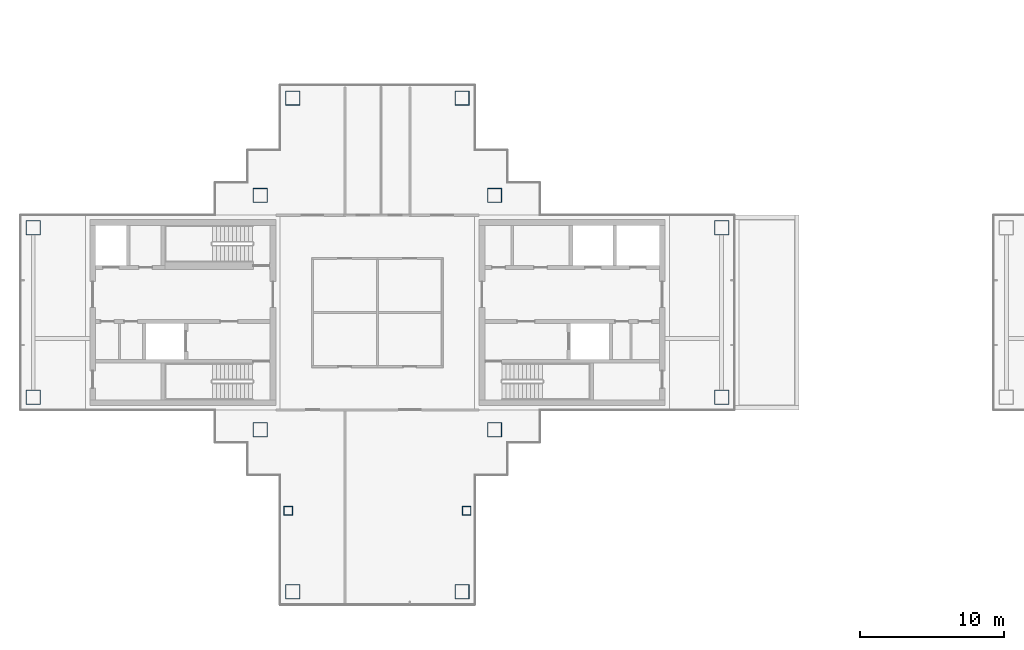
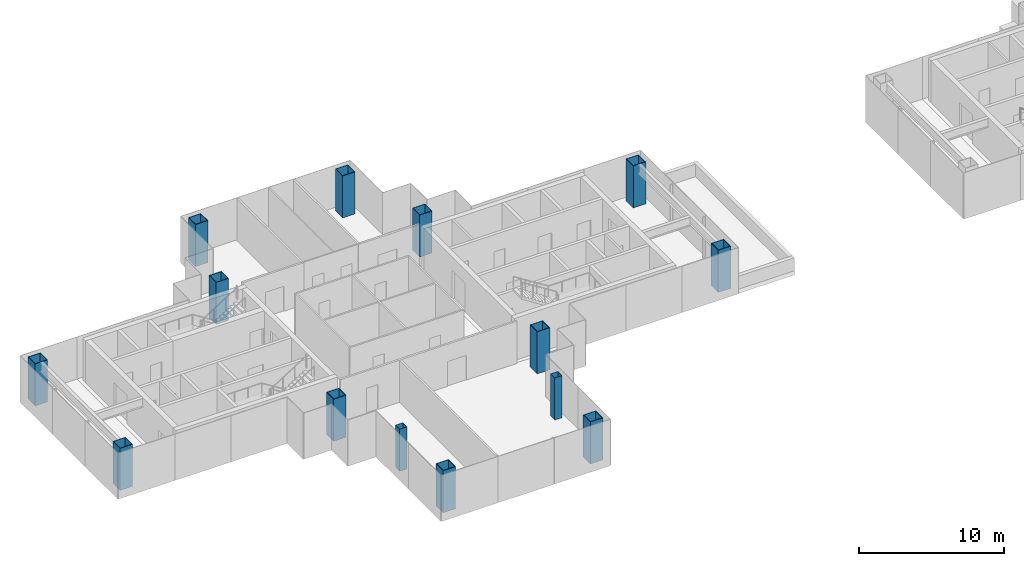
# One storey, part 1 of 16: 14 columns.
"""IFC4 building model written with IfcOpenShell, lengths in metres."""

import ifcopenshell
import ifcopenshell.guid

model = None  # the IFC model being written
_history = None  # IfcOwnerHistory: only IFC2X3 demands one
_inside = {}  # id of a spatial element -> (the spatial element, [elements in it])
_under = {}  # id of a project, library or spatial element -> (it, [spatial elements below it])
_declared = {}  # id of a project -> (the project, [libraries it declares])
_typed = {}  # id of a type object -> (the type object, [elements of that type])
_made_of = {}  # id of a material, layer set ... -> (it, [elements and type objects made of it])


def new_model(schema):
    """Start an empty IFC model of exactly this schema.

    Asked for "IFC4X3", IfcOpenShell would pick the latest addendum, in which some entities
    have other attributes; the version numbers below select the first issue.
    IFC2X3 requires an IfcOwnerHistory on every rooted entity: one is made here for all.
    """
    global model, _history
    if schema == "IFC4X3":
        model = ifcopenshell.file(schema_version=(4, 3, 0, 0))
    else:
        model = ifcopenshell.file(schema=schema)
    _inside.clear()
    _under.clear()
    _declared.clear()
    _typed.clear()
    _made_of.clear()
    _history = None
    if model.schema == "IFC2X3":
        org = make("IfcOrganization", Name="unknown")
        user = make(
            "IfcPersonAndOrganization",
            ThePerson=make("IfcPerson", FamilyName="unknown"),
            TheOrganization=org,
        )
        app = make(
            "IfcApplication",
            ApplicationDeveloper=org,
            Version="unknown",
            ApplicationFullName="unknown",
            ApplicationIdentifier="unknown",
        )
        _history = make(
            "IfcOwnerHistory",
            OwningUser=user,
            OwningApplication=app,
            ChangeAction="ADDED",
            CreationDate=0,
        )
    return model


def make(cls, **values):
    """One entity of the class cls with the attributes given. An attribute that is None is left unset."""
    return model.create_entity(
        cls, **{name: value for name, value in values.items() if value is not None}
    )


def rooted(cls, **values):
    """An entity with a GlobalId (a new one), such as an element, a storey or a relation."""
    return make(cls, GlobalId=ifcopenshell.guid.new(), OwnerHistory=_history, **values)


def si_unit(unit_type, name, prefix=None):
    """IfcSIUnit, for example si_unit("LENGTHUNIT", "METRE", prefix="MILLI")."""
    return make("IfcSIUnit", UnitType=unit_type, Prefix=prefix, Name=name)


def assignment(units):
    """IfcUnitAssignment: the units of a project."""
    return None if units is None else make("IfcUnitAssignment", Units=units)


def point(xyz):
    """IfcCartesianPoint."""
    return None if xyz is None else make("IfcCartesianPoint", Coordinates=xyz)


def direction(xyz):
    """IfcDirection."""
    return None if xyz is None else make("IfcDirection", DirectionRatios=xyz)


def frame(location, z_axis=None, x_axis=None):
    """IfcAxis2Placement3D, a coordinate frame: its origin and axes. An axis left out is left unset."""
    return make(
        "IfcAxis2Placement3D",
        Location=point(location),
        Axis=direction(z_axis),
        RefDirection=direction(x_axis),
    )


def frame_2d(location, x_axis=None):
    """IfcAxis2Placement2D, a coordinate frame in the plane: its origin and x axis."""
    return make(
        "IfcAxis2Placement2D", Location=point(location), RefDirection=direction(x_axis)
    )


def origin():
    """The frame at (0, 0, 0) with its axes left unset."""
    return frame((0.0, 0.0, 0.0))


def origin_2d():
    """The frame at (0, 0) in the plane with its x axis left unset."""
    return frame_2d((0.0, 0.0))


def place(relative_to, where):
    """IfcLocalPlacement: puts the frame where relative to a parent placement (None: the world)."""
    return make(
        "IfcLocalPlacement", PlacementRelTo=relative_to, RelativePlacement=where
    )


def context(
    kind, dimensions, precision=None, world=None, true_north=None, identifier=None
):
    """IfcGeometricRepresentationContext, for example the 3D "Model" context."""
    return make(
        "IfcGeometricRepresentationContext",
        ContextIdentifier=identifier,
        ContextType=kind,
        CoordinateSpaceDimension=dimensions,
        Precision=precision,
        WorldCoordinateSystem=world,
        TrueNorth=true_north,
    )


def subcontext(parent, identifier, kind, view, scale=None):
    """IfcGeometricRepresentationSubContext, for example "Body" below "Model"."""
    return make(
        "IfcGeometricRepresentationSubContext",
        ContextIdentifier=identifier,
        ContextType=kind,
        ParentContext=parent,
        TargetScale=scale,
        TargetView=view,
    )


def project(units=None, contexts=None):
    """IfcProject with its units and contexts."""
    return rooted(
        "IfcProject",
        Name="project",
        RepresentationContexts=contexts,
        UnitsInContext=assignment(units),
    )


def spatial(cls, under=None, at=None, **own):
    """A site, building, storey or space (cls), placed at a placement, below another one or the project."""
    s = rooted(cls, ObjectPlacement=at, **own)
    if under is not None:
        _under.setdefault(under.id(), (under, []))[1].append(s)
    return s


def profile(cls, at=None, kind="AREA", **sizes):
    """A parametric profile (cls). Its sizes go by their IFC names, for example OverallWidth=200.0."""
    return make(cls, ProfileType=kind, Position=at, **sizes)


def hollow_rectangle(**sizes):
    """IfcRectangleHollowProfileDef."""
    return profile("IfcRectangleHollowProfileDef", **sizes)


def extrude(swept, where, along, depth):
    """IfcExtrudedAreaSolid: the profile swept, set in the frame where, extruded along a direction by depth."""
    return make(
        "IfcExtrudedAreaSolid",
        SweptArea=swept,
        Position=where,
        ExtrudedDirection=direction(along),
        Depth=depth,
    )


def shape(context_of_items, identifier, shape_type, items):
    """IfcShapeRepresentation: the items that make up one representation, for example the "Body"."""
    return make(
        "IfcShapeRepresentation",
        ContextOfItems=context_of_items,
        RepresentationIdentifier=identifier,
        RepresentationType=shape_type,
        Items=items,
    )


def material(Name=None, Category=None):
    """IfcMaterial."""
    return make("IfcMaterial", Name=Name, Category=Category)


def material_profile(
    of_material, cross_section, Name=None, Category=None, Priority=None
):
    """IfcMaterialProfile: a cross section and its material."""
    return make(
        "IfcMaterialProfile",
        Name=Name,
        Material=of_material,
        Profile=cross_section,
        Priority=Priority,
        Category=Category,
    )


def profile_set(profiles, Name=None, composite=None):
    """IfcMaterialProfileSet."""
    return make(
        "IfcMaterialProfileSet",
        Name=Name,
        MaterialProfiles=profiles,
        CompositeProfile=composite,
    )


def made_of(thing, what):
    """Note that an element or type object is made of a material, layer set ...; save() writes the relation."""
    if what is not None:
        _made_of.setdefault(what.id(), (what, []))[1].append(thing)
    return thing


def type_object(cls, material=None, **own):
    """A type object (cls), such as IfcWallType, which elements share."""
    return made_of(rooted(cls, **own), material)


def element(
    cls,
    number,
    at=None,
    inside=None,
    cuts=None,
    type_object=None,
    material=None,
    context=None,
    identifier="Body",
    shape_type=None,
    held_by="IfcProductDefinitionShape",
    body=None,
    shapes=None,
    **own,
):
    """One element of the class cls, such as IfcWall. Its Tag is "e" and its number.

    at: its placement. inside: the storey or other place that contains it. cuts: it is an
    opening in that element (IfcRelVoidsElement). A single representation is given by context,
    identifier, shape_type and body (its items); several are given by shapes. held_by: the class
    of the entity that holds the representations. save() writes the other relations.
    """
    e = rooted(cls, Tag="e%d" % number, ObjectPlacement=at, **own)
    if body is not None:
        shapes = [shape(context, identifier, shape_type, body)]
    if shapes is not None:
        e.Representation = make(held_by, Representations=shapes)
    if inside is not None:
        _inside.setdefault(inside.id(), (inside, []))[1].append(e)
    if cuts is not None:
        rooted(
            "IfcRelVoidsElement", RelatingBuildingElement=cuts, RelatedOpeningElement=e
        )
    if type_object is not None:
        _typed.setdefault(type_object.id(), (type_object, []))[1].append(e)
    return made_of(e, material)


def aggregate(whole, parts):
    """IfcRelAggregates: a whole, such as a stair, and the parts it consists of."""
    return rooted("IfcRelAggregates", RelatingObject=whole, RelatedObjects=parts)


def save(model, path):
    """Write the relations noted so far, then the file.

    IfcRelAggregates (storeys below a building ...), IfcRelContainedInSpatialStructure (elements
    in a storey), IfcRelDefinesByType, IfcRelAssociatesMaterial and IfcRelDeclares: one each for
    every whole, place, type object, material and project.
    """
    for whole, parts in _under.values():
        aggregate(whole, parts)
    for where, things in _inside.values():
        rooted(
            "IfcRelContainedInSpatialStructure",
            RelatedElements=things,
            RelatingStructure=where,
        )
    for kind, things in _typed.values():
        rooted("IfcRelDefinesByType", RelatedObjects=things, RelatingType=kind)
    for what, things in _made_of.values():
        rooted("IfcRelAssociatesMaterial", RelatedObjects=things, RelatingMaterial=what)
    for by, libraries in _declared.values():
        rooted("IfcRelDeclares", RelatingContext=by, RelatedDefinitions=libraries)
    model.write(path)


model = new_model("IFC4")

# Units and contexts
model_context = context("Model", 3, precision=1e-05, world=origin(), true_north=direction((0.0, 1.0)))
body_context = subcontext(model_context, "Body", "Model", "MODEL_VIEW")
ifc_project = project(units=[si_unit("LENGTHUNIT", "METRE"), si_unit("AREAUNIT", "SQUARE_METRE"), si_unit("VOLUMEUNIT", "CUBIC_METRE"), si_unit("PLANEANGLEUNIT", "RADIAN"), si_unit("MASSUNIT", "GRAM", prefix="KILO")], contexts=[model_context])

# Site, building, storey
site_placement = place(None, origin())
site = spatial("IfcSite", under=ifc_project, at=site_placement, CompositionType="ELEMENT")
building_placement = place(site_placement, origin())
building = spatial("IfcBuilding", under=site, at=building_placement, Name="Shamsa Quay Exchange Towers", CompositionType="ELEMENT")
storey_placement = place(building_placement, frame((0.0, 0.0, 182.699951171875)))
storey = spatial("IfcBuildingStorey", under=building, at=storey_placement, Name="L43", CompositionType="ELEMENT", Elevation=182.699951171875)

# Columns
ifc_material_1 = material(Name="Concrete-filled steel tube S355 / C80/95", Category="concrete")
ifc_material_profile_1 = material_profile(ifc_material_1, hollow_rectangle(XDim=1.0, YDim=1.0, WallThickness=0.0400390625, at=origin_2d()), Name="CFT 1000x1000x40")
ifc_profile_set_1 = profile_set([ifc_material_profile_1], Name="Concrete-filled steel tube S355 / C80/95")
column_type_1 = type_object("IfcColumnType", Name="Column CFT 1000x1000x40", PredefinedType="COLUMN", material=ifc_profile_set_1)
for number, where, name in (
    (1, (-25.625, 8.125, 0.0), "Mega column T1-CM01"),
    (2, (-25.625, -8.125, 0.0), "Mega column T1-CM02"),
    (3, (-41.875, 8.125, 0.0), "Mega column T1-CM03"),
    (4, (-41.875, -8.125, 0.0), "Mega column T1-CM04"),
    (5, (-9.875, -5.875, 0.0), "Mega column T1-CM05"),
    (6, (-9.875, 5.875, 0.0), "Mega column T1-CM07"),
    (7, (-57.625, -5.875, 0.0), "Mega column T1-CM09"),
    (8, (-57.625, 5.875, 0.0), "Mega column T1-CM11"),
    (9, (-39.625, 14.875, 0.0), "Mega column T1-CM13"),
    (10, (-27.875, 14.875, 0.0), "Mega column T1-CM16"),
    (11, (-39.625, -19.375, 0.0), "Mega column T1-CM20"),
    (12, (-27.875, -19.375, 0.0), "Mega column T1-CM23"),
):
    element("IfcColumn", number, at=place(storey_placement, frame(where)), inside=storey, type_object=column_type_1, Name=name, PredefinedType="COLUMN", context=body_context, shape_type="SweptSolid", body=[
        extrude(hollow_rectangle(XDim=1.0, YDim=1.0, WallThickness=0.0400390625, at=origin_2d()), origin(), (0.0, 0.0, 1.0), 3.550048828125),
    ])
ifc_material_2 = material(Name="Concrete-filled steel tube S355 / C60/75", Category="concrete")
ifc_material_profile_2 = material_profile(ifc_material_2, hollow_rectangle(XDim=0.60009765625, YDim=0.60009765625, WallThickness=0.02001953125, at=origin_2d()), Name="CFT 600x600x20")
ifc_profile_set_2 = profile_set([ifc_material_profile_2], Name="Concrete-filled steel tube S355 / C60/75")
column_type_2 = type_object("IfcColumnType", Name="Column CFT 600x600x20", PredefinedType="COLUMN", material=ifc_profile_set_2)
for number, where, name in (
    (13, (-39.9375, -13.75, 0.0), "Perimeter column T1-CP19"),
    (14, (-27.5625, -13.75, 0.0), "Perimeter column T1-CP22"),
):
    element("IfcColumn", number, at=place(storey_placement, frame(where)), inside=storey, type_object=column_type_2, Name=name, PredefinedType="COLUMN", context=body_context, shape_type="SweptSolid", body=[
        extrude(hollow_rectangle(XDim=0.60009765625, YDim=0.60009765625, WallThickness=0.02001953125, at=origin_2d()), origin(), (0.0, 0.0, 1.0), 3.550048828125),
    ])

save(model, "model.ifc")
